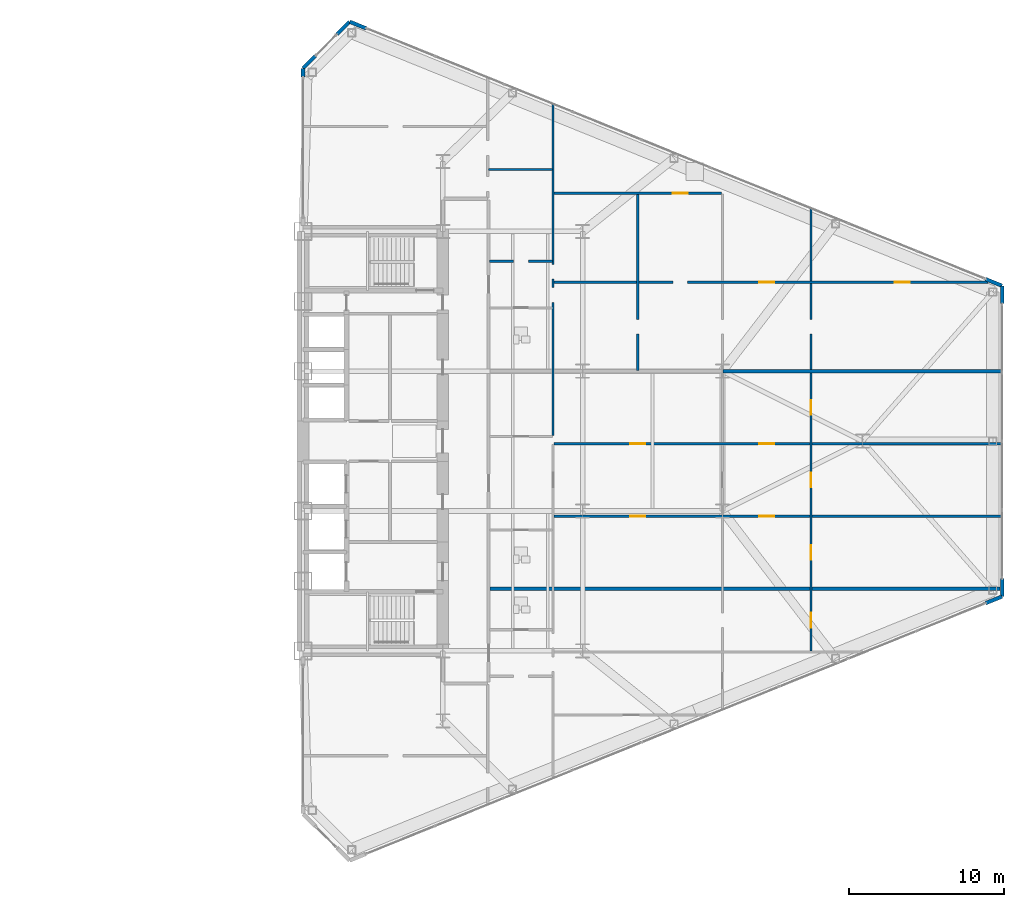
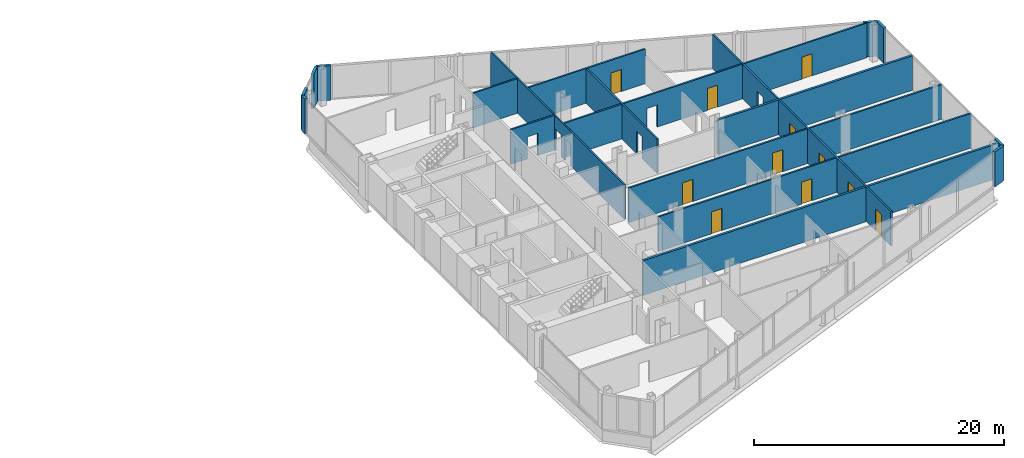
# One storey, part 23 of 26: 19 walls, 11 doors, 17 openings.
"""IFC4 building model written with IfcOpenShell, lengths in metres."""

from ifc_helpers import new_model, si_unit, direction, frame, frame_2d, origin, place, context, subcontext, project, spatial, rectangle, extrude, source, transform, mapped, material, layer, layer_set, type_object, type_shapes, element, fill, save


model = new_model("IFC4")

# Units and contexts
model_context = context("Model", 3, precision=1e-05, world=origin(), true_north=direction((0.0, 1.0)))
body_context = subcontext(model_context, "Body", "Model", "MODEL_VIEW")
ifc_project = project(units=[si_unit("LENGTHUNIT", "METRE"), si_unit("AREAUNIT", "SQUARE_METRE"), si_unit("VOLUMEUNIT", "CUBIC_METRE"), si_unit("PLANEANGLEUNIT", "RADIAN"), si_unit("MASSUNIT", "GRAM", prefix="KILO")], contexts=[model_context])

# Site, building, storey
site_placement = place(None, origin())
site = spatial("IfcSite", under=ifc_project, at=site_placement, CompositionType="ELEMENT")
building_placement = place(site_placement, origin())
building = spatial("IfcBuilding", under=site, at=building_placement, Name="Seokmaru Belvedere", CompositionType="ELEMENT")
storey_placement = place(building_placement, frame((0.0, 0.0, 18.89990234375)))
storey = spatial("IfcBuildingStorey", under=building, at=storey_placement, Name="L04", CompositionType="ELEMENT", Elevation=18.89990234375)

# Wall, openings, doors
ifc_material_1 = material(Name="Fire-Rated Gypsum Shaftwall")
ifc_layer_1 = layer(ifc_material_1, 0.14990234375)
ifc_layer_set_1 = layer_set([ifc_layer_1], Name="Fire-Rated Gypsum Shaftwall")
wall_type_1 = type_object("IfcWallType", Name="Apartment Fire-Acoustic Room Partition 150", PredefinedType="PARTITIONING", material=ifc_layer_set_1)
wall_1_placement = place(storey_placement, frame((43.64990234375, -4.830078125, 0.0), z_axis=(0.0, 0.0, 1.0), x_axis=(1.0, 0.0, 0.0)))
wall_1 = element("IfcWall", 1, at=wall_1_placement, inside=storey, type_object=wall_type_1, Name="L04 Interior Partition 016", PredefinedType="PARTITIONING", context=body_context, shape_type="SweptSolid", body=[
    extrude(rectangle(XDim=28.885009765625, YDim=0.14990234375, at=frame_2d((14.4423828125, 0.0))), origin(), (0.0, 0.0, 1.0), 3.380126953125),
])
opening_1_placement = place(wall_1_placement, frame((4.925048828125, 0.0, 0.0)))
opening_1 = element("IfcOpeningElement", 2, at=opening_1_placement, cuts=wall_1, Name="Opening D05", PredefinedType="OPENING", context=body_context, shape_type="SweptSolid", body=[
    extrude(rectangle(XDim=0.949951171875, YDim=2.14990234375, at=frame_2d((0.47509765625, 1.074951171875))), frame((0.0, 0.0849609375, 0.0), z_axis=(0.0, -1.0, 0.0), x_axis=(1.0, 0.0, 0.0)), (0.0, 0.0, 1.0), 0.169921875),
])
opening_2_placement = place(wall_1_placement, frame((13.22509765625, 0.0, 0.0)))
opening_2 = element("IfcOpeningElement", 3, at=opening_2_placement, cuts=wall_1, Name="Opening D05", PredefinedType="OPENING", context=body_context, shape_type="SweptSolid", body=[
    extrude(rectangle(XDim=0.949951171875, YDim=2.14990234375, at=frame_2d((0.47509765625, 1.074951171875))), frame((0.0, 0.0849609375, 0.0), z_axis=(0.0, -1.0, 0.0), x_axis=(1.0, 0.0, 0.0)), (0.0, 0.0, 1.0), 0.169921875),
])
ifc_material_2 = material(Name="Engineered White Oak Timber", Category="wood")
door_type = type_object("IfcDoorType", Name="Apartment Interior Fire-Rated Oak Door 950x2150", OperationType="NOTDEFINED", PredefinedType="DOOR", material=ifc_material_2)
shared_shape = source(origin(), body_context, "Body", "SweptSolid", [
    extrude(rectangle(XDim=0.949951171875, YDim=2.14990234375, at=frame_2d((0.47509765625, 1.074951171875))), frame((0.0, 0.02490234375, 0.0), z_axis=(0.0, -1.0, 0.0), x_axis=(1.0, 0.0, 0.0)), (0.0, 0.0, 1.0), 0.050048828125),
])
type_shapes(door_type, [shared_shape])
door_1_placement = place(opening_1_placement, origin())
door_1 = element("IfcDoor", 4, at=door_1_placement, inside=storey, type_object=door_type, Name="L04 Interior Door 058", OperationType="SINGLE_SWING_LEFT", OverallHeight=2.14990234375, OverallWidth=0.949951171875, PredefinedType="DOOR", context=body_context, shape_type="MappedRepresentation", body=[
    mapped(shared_shape, transform((0.0, 0.0, 0.0), scale=1.0)),
])
fill(opening_1, door_1)
door_2_placement = place(opening_2_placement, origin())
door_2 = element("IfcDoor", 5, at=door_2_placement, inside=storey, type_object=door_type, Name="L04 Interior Door 060", OperationType="SINGLE_SWING_RIGHT", OverallHeight=2.14990234375, OverallWidth=0.949951171875, PredefinedType="DOOR", context=body_context, shape_type="MappedRepresentation", body=[
    mapped(shared_shape, transform((0.0, 0.0, 0.0), scale=1.0)),
])
fill(opening_2, door_2)

wall_2_placement = place(storey_placement, frame((43.64990234375, -0.169921875, 0.0), z_axis=(0.0, 0.0, 1.0), x_axis=(1.0, 0.0, 0.0)))
wall_2 = element("IfcWall", 6, at=wall_2_placement, inside=storey, type_object=wall_type_1, Name="L04 Interior Partition 019", PredefinedType="PARTITIONING", context=body_context, shape_type="SweptSolid", body=[
    extrude(rectangle(XDim=28.885009765625, YDim=0.14990234375, at=frame_2d((14.4423828125, 0.0))), origin(), (0.0, 0.0, 1.0), 3.380126953125),
])
opening_3_placement = place(wall_2_placement, frame((4.925048828125, 0.0, 0.0)))
opening_3 = element("IfcOpeningElement", 7, at=opening_3_placement, cuts=wall_2, Name="Opening D05", PredefinedType="OPENING", context=body_context, shape_type="SweptSolid", body=[
    extrude(rectangle(XDim=0.949951171875, YDim=2.14990234375, at=frame_2d((0.47509765625, 1.074951171875))), frame((0.0, 0.0849609375, 0.0), z_axis=(0.0, -1.0, 0.0), x_axis=(1.0, 0.0, 0.0)), (0.0, 0.0, 1.0), 0.169921875),
])
opening_4_placement = place(wall_2_placement, frame((13.22509765625, 0.0, 0.0)))
opening_4 = element("IfcOpeningElement", 8, at=opening_4_placement, cuts=wall_2, Name="Opening D05", PredefinedType="OPENING", context=body_context, shape_type="SweptSolid", body=[
    extrude(rectangle(XDim=0.949951171875, YDim=2.14990234375, at=frame_2d((0.47509765625, 1.074951171875))), frame((0.0, 0.0849609375, 0.0), z_axis=(0.0, -1.0, 0.0), x_axis=(1.0, 0.0, 0.0)), (0.0, 0.0, 1.0), 0.169921875),
])
door_3_placement = place(opening_3_placement, origin())
door_3 = element("IfcDoor", 9, at=door_3_placement, inside=storey, type_object=door_type, Name="L04 Interior Door 059", OperationType="SINGLE_SWING_RIGHT", OverallHeight=2.14990234375, OverallWidth=0.949951171875, PredefinedType="DOOR", context=body_context, shape_type="MappedRepresentation", body=[
    mapped(shared_shape, transform((0.0, 0.0, 0.0), scale=1.0)),
])
fill(opening_3, door_3)
door_4_placement = place(opening_4_placement, origin())
door_4 = element("IfcDoor", 10, at=door_4_placement, inside=storey, type_object=door_type, Name="L04 Interior Door 063", OperationType="SINGLE_SWING_RIGHT", OverallHeight=2.14990234375, OverallWidth=0.949951171875, PredefinedType="DOOR", context=body_context, shape_type="MappedRepresentation", body=[
    mapped(shared_shape, transform((0.0, 0.0, 0.0), scale=1.0)),
])
fill(opening_4, door_4)

wall_3_placement = place(storey_placement, frame((43.64990234375, 10.22998046875, 0.0), z_axis=(0.0, 0.0, 1.0), x_axis=(1.0, 0.0, 0.0)))
wall_3 = element("IfcWall", 11, at=wall_3_placement, inside=storey, type_object=wall_type_1, Name="L04 Interior Partition 027", PredefinedType="PARTITIONING", context=body_context, shape_type="SweptSolid", body=[
    extrude(rectangle(XDim=27.94873046875, YDim=0.14990234375, at=frame_2d((13.974365234375, 0.0))), origin(), (0.0, 0.0, 1.0), 3.380126953125),
])
opening_5_placement = place(wall_3_placement, frame((21.937744140625, 0.0, 0.0)))
opening_5 = element("IfcOpeningElement", 12, at=opening_5_placement, cuts=wall_3, Name="Opening D05", PredefinedType="OPENING", context=body_context, shape_type="SweptSolid", body=[
    extrude(rectangle(XDim=0.949951171875, YDim=2.14990234375, at=frame_2d((0.47509765625, 1.074951171875))), frame((0.0, 0.0849609375, 0.0), z_axis=(0.0, -1.0, 0.0), x_axis=(1.0, 0.0, 0.0)), (0.0, 0.0, 1.0), 0.169921875),
])
opening_6_placement = place(wall_3_placement, frame((13.22509765625, 0.0, 0.0)))
opening_6 = element("IfcOpeningElement", 13, at=opening_6_placement, cuts=wall_3, Name="Opening D05", PredefinedType="OPENING", context=body_context, shape_type="SweptSolid", body=[
    extrude(rectangle(XDim=0.949951171875, YDim=2.14990234375, at=frame_2d((0.47509765625, 1.074951171875))), frame((0.0, 0.0849609375, 0.0), z_axis=(0.0, -1.0, 0.0), x_axis=(1.0, 0.0, 0.0)), (0.0, 0.0, 1.0), 0.169921875),
])
opening_7_placement = place(wall_3_placement, frame((7.64990234375, 0.0, 0.0)))
element("IfcOpeningElement", 14, at=opening_7_placement, cuts=wall_3, Name="L04 Cased Opening 075", PredefinedType="OPENING", context=body_context, shape_type="SweptSolid", body=[
    extrude(rectangle(XDim=0.949951171875, YDim=2.14990234375, at=frame_2d((0.47509765625, 1.074951171875))), frame((0.0, 0.0849609375, 0.0), z_axis=(0.0, -1.0, 0.0), x_axis=(1.0, 0.0, 0.0)), (0.0, 0.0, 1.0), 0.169921875),
])
door_5_placement = place(opening_5_placement, origin())
door_5 = element("IfcDoor", 15, at=door_5_placement, inside=storey, type_object=door_type, Name="L04 Interior Door 073", OperationType="SINGLE_SWING_RIGHT", OverallHeight=2.14990234375, OverallWidth=0.949951171875, PredefinedType="DOOR", context=body_context, shape_type="MappedRepresentation", body=[
    mapped(shared_shape, transform((0.0, 0.0, 0.0), scale=1.0)),
])
fill(opening_5, door_5)
door_6_placement = place(opening_6_placement, origin())
door_6 = element("IfcDoor", 16, at=door_6_placement, inside=storey, type_object=door_type, Name="L04 Interior Door 074", OperationType="SINGLE_SWING_RIGHT", OverallHeight=2.14990234375, OverallWidth=0.949951171875, PredefinedType="DOOR", context=body_context, shape_type="MappedRepresentation", body=[
    mapped(shared_shape, transform((0.0, 0.0, 0.0), scale=1.0)),
])
fill(opening_6, door_6)

# Wall, opening
wall_4_placement = place(storey_placement, frame((39.5, 11.580078125, 0.0), z_axis=(0.0, 0.0, 1.0), x_axis=(1.0, 0.0, 0.0)))
wall_4 = element("IfcWall", 17, at=wall_4_placement, inside=storey, type_object=wall_type_1, Name="L04 Interior Partition 028", PredefinedType="PARTITIONING", context=body_context, shape_type="SweptSolid", body=[
    extrude(rectangle(XDim=4.050048828125, YDim=0.14990234375, at=frame_2d((2.02490234375, 0.0))), origin(), (0.0, 0.0, 1.0), 3.380126953125),
])
opening_8_placement = place(wall_4_placement, frame((1.550048828125, 0.0, 0.0)))
element("IfcOpeningElement", 18, at=opening_8_placement, cuts=wall_4, Name="L04 Cased Opening 067", PredefinedType="OPENING", context=body_context, shape_type="SweptSolid", body=[
    extrude(rectangle(XDim=0.949951171875, YDim=2.14990234375, at=frame_2d((0.47509765625, 1.074951171875))), frame((0.0, 0.0849609375, 0.0), z_axis=(0.0, -1.0, 0.0), x_axis=(1.0, 0.0, 0.0)), (0.0, 0.0, 1.0), 0.169921875),
])

# Wall, opening, door
wall_5_placement = place(storey_placement, frame((43.64990234375, 15.9599609375, 0.0), z_axis=(0.0, 0.0, 1.0), x_axis=(1.0, 0.0, 0.0)))
wall_5 = element("IfcWall", 19, at=wall_5_placement, inside=storey, type_object=wall_type_1, Name="L04 Interior Partition 033", PredefinedType="PARTITIONING", context=body_context, shape_type="SweptSolid", body=[
    extrude(rectangle(XDim=10.800048828125, YDim=0.14990234375, at=frame_2d((5.39990234375, 0.0))), origin(), (0.0, 0.0, 1.0), 3.380126953125),
])
opening_9_placement = place(wall_5_placement, frame((7.64990234375, 0.0, 0.0)))
opening_9 = element("IfcOpeningElement", 20, at=opening_9_placement, cuts=wall_5, Name="Opening D05", PredefinedType="OPENING", context=body_context, shape_type="SweptSolid", body=[
    extrude(rectangle(XDim=0.949951171875, YDim=2.14990234375, at=frame_2d((0.47509765625, 1.074951171875))), frame((0.0, 0.0849609375, 0.0), z_axis=(0.0, -1.0, 0.0), x_axis=(1.0, 0.0, 0.0)), (0.0, 0.0, 1.0), 0.169921875),
])
door_7_placement = place(opening_9_placement, origin())
door_7 = element("IfcDoor", 21, at=door_7_placement, inside=storey, type_object=door_type, Name="L04 Interior Door 076", OperationType="SINGLE_SWING_RIGHT", OverallHeight=2.14990234375, OverallWidth=0.949951171875, PredefinedType="DOOR", context=body_context, shape_type="MappedRepresentation", body=[
    mapped(shared_shape, transform((0.0, 0.0, 0.0), scale=1.0)),
])
fill(opening_9, door_7)

# Wall
wall_6_placement = place(storey_placement, frame((39.449951171875, 17.489990234375, 0.0), z_axis=(0.0, 0.0, 1.0), x_axis=(1.0, 0.0, 0.0)))
element("IfcWall", 22, at=wall_6_placement, inside=storey, type_object=wall_type_1, Name="L04 Interior Partition 035", PredefinedType="PARTITIONING", context=body_context, shape_type="SweptSolid", body=[
    extrude(rectangle(XDim=4.10009765625, YDim=0.14990234375, at=frame_2d((2.050048828125, 0.0))), origin(), (0.0, 0.0, 1.0), 3.380126953125),
])

# Wall, opening
wall_7_placement = place(storey_placement, frame((49.050048828125, 4.550048828125, 0.0), z_axis=(0.0, 0.0, 1.0), x_axis=(0.0, 1.0, 0.0)))
wall_7 = element("IfcWall", 23, at=wall_7_placement, inside=storey, type_object=wall_type_1, Name="L04 Interior Partition 057", PredefinedType="PARTITIONING", context=body_context, shape_type="SweptSolid", body=[
    extrude(rectangle(XDim=11.364990234375, YDim=0.14990234375, at=frame_2d((5.6826171875, 0.0))), origin(), (0.0, 0.0, 1.0), 3.380126953125),
])
opening_10_placement = place(wall_7_placement, frame((2.34130859375, 0.0, 0.0)))
element("IfcOpeningElement", 24, at=opening_10_placement, cuts=wall_7, Name="L04 Cased Opening 070", PredefinedType="OPENING", context=body_context, shape_type="SweptSolid", body=[
    extrude(rectangle(XDim=0.949951171875, YDim=2.14990234375, at=frame_2d((0.47509765625, 1.074951171875))), frame((0.0, 0.0849609375, 0.0), z_axis=(0.0, -1.0, 0.0), x_axis=(1.0, 0.0, 0.0)), (0.0, 0.0, 1.0), 0.169921875),
])

# Wall, openings, doors
wall_8_placement = place(storey_placement, frame((60.199951171875, -13.51611328125, 0.0), z_axis=(0.0, 0.0, 1.0), x_axis=(0.0, 1.0, 0.0)))
wall_8 = element("IfcWall", 25, at=wall_8_placement, inside=storey, type_object=wall_type_1, Name="L04 Interior Partition 059", PredefinedType="PARTITIONING", context=body_context, shape_type="SweptSolid", body=[
    extrude(rectangle(XDim=28.530029296875, YDim=0.14990234375, at=frame_2d((14.26513671875, 0.0))), origin(), (0.0, 0.0, 1.0), 3.380126953125),
])
opening_11_placement = place(wall_8_placement, frame((1.508056640625, 0.0, 0.0)))
opening_11 = element("IfcOpeningElement", 26, at=opening_11_placement, cuts=wall_8, Name="Opening D05", PredefinedType="OPENING", context=body_context, shape_type="SweptSolid", body=[
    extrude(rectangle(XDim=0.949951171875, YDim=2.14990234375, at=frame_2d((0.47509765625, 1.074951171875))), frame((0.0, 0.0849609375, 0.0), z_axis=(0.0, -1.0, 0.0), x_axis=(1.0, 0.0, 0.0)), (0.0, 0.0, 1.0), 0.169921875),
])
opening_12_placement = place(wall_8_placement, frame((5.87451171875, 0.0, 0.0)))
opening_12 = element("IfcOpeningElement", 27, at=opening_12_placement, cuts=wall_8, Name="Opening D05", PredefinedType="OPENING", context=body_context, shape_type="SweptSolid", body=[
    extrude(rectangle(XDim=0.949951171875, YDim=2.14990234375, at=frame_2d((0.47509765625, 1.074951171875))), frame((0.0, 0.0849609375, 0.0), z_axis=(0.0, -1.0, 0.0), x_axis=(1.0, 0.0, 0.0)), (0.0, 0.0, 1.0), 0.169921875),
])
opening_13_placement = place(wall_8_placement, frame((10.541015625, 0.0, 0.0)))
opening_13 = element("IfcOpeningElement", 28, at=opening_13_placement, cuts=wall_8, Name="Opening D05", PredefinedType="OPENING", context=body_context, shape_type="SweptSolid", body=[
    extrude(rectangle(XDim=0.949951171875, YDim=2.14990234375, at=frame_2d((0.47509765625, 1.074951171875))), frame((0.0, 0.0849609375, 0.0), z_axis=(0.0, -1.0, 0.0), x_axis=(1.0, 0.0, 0.0)), (0.0, 0.0, 1.0), 0.169921875),
])
opening_14_placement = place(wall_8_placement, frame((15.20751953125, 0.0, 0.0)))
opening_14 = element("IfcOpeningElement", 29, at=opening_14_placement, cuts=wall_8, Name="Opening D05", PredefinedType="OPENING", context=body_context, shape_type="SweptSolid", body=[
    extrude(rectangle(XDim=0.949951171875, YDim=2.14990234375, at=frame_2d((0.47509765625, 1.074951171875))), frame((0.0, 0.0849609375, 0.0), z_axis=(0.0, -1.0, 0.0), x_axis=(1.0, 0.0, 0.0)), (0.0, 0.0, 1.0), 0.169921875),
])
opening_15_placement = place(wall_8_placement, frame((20.4072265625, 0.0, 0.0)))
element("IfcOpeningElement", 30, at=opening_15_placement, cuts=wall_8, Name="L04 Cased Opening 072", PredefinedType="OPENING", context=body_context, shape_type="SweptSolid", body=[
    extrude(rectangle(XDim=0.949951171875, YDim=2.14990234375, at=frame_2d((0.47509765625, 1.074951171875))), frame((0.0, 0.0849609375, 0.0), z_axis=(0.0, -1.0, 0.0), x_axis=(1.0, 0.0, 0.0)), (0.0, 0.0, 1.0), 0.169921875),
])
door_8_placement = place(opening_11_placement, origin())
door_8 = element("IfcDoor", 31, at=door_8_placement, inside=storey, type_object=door_type, Name="L04 Interior Door 050", OperationType="SINGLE_SWING_LEFT", OverallHeight=2.14990234375, OverallWidth=0.949951171875, PredefinedType="DOOR", context=body_context, shape_type="MappedRepresentation", body=[
    mapped(shared_shape, transform((0.0, 0.0, 0.0), scale=1.0)),
])
fill(opening_11, door_8)
door_9_placement = place(opening_12_placement, origin())
door_9 = element("IfcDoor", 32, at=door_9_placement, inside=storey, type_object=door_type, Name="L04 Interior Door 061", OperationType="SINGLE_SWING_LEFT", OverallHeight=2.14990234375, OverallWidth=0.949951171875, PredefinedType="DOOR", context=body_context, shape_type="MappedRepresentation", body=[
    mapped(shared_shape, transform((0.0, 0.0, 0.0), scale=1.0)),
])
fill(opening_12, door_9)
door_10_placement = place(opening_13_placement, origin())
door_10 = element("IfcDoor", 33, at=door_10_placement, inside=storey, type_object=door_type, Name="L04 Interior Door 062", OperationType="SINGLE_SWING_LEFT", OverallHeight=2.14990234375, OverallWidth=0.949951171875, PredefinedType="DOOR", context=body_context, shape_type="MappedRepresentation", body=[
    mapped(shared_shape, transform((0.0, 0.0, 0.0), scale=1.0)),
])
fill(opening_13, door_10)
door_11_placement = place(opening_14_placement, origin())
door_11 = element("IfcDoor", 34, at=door_11_placement, inside=storey, type_object=door_type, Name="L04 Interior Door 064", OperationType="SINGLE_SWING_LEFT", OverallHeight=2.14990234375, OverallWidth=0.949951171875, PredefinedType="DOOR", context=body_context, shape_type="MappedRepresentation", body=[
    mapped(shared_shape, transform((0.0, 0.0, 0.0), scale=1.0)),
])
fill(opening_14, door_11)

# Walls
ifc_layer_2 = layer(ifc_material_1, 0.199951171875)
ifc_layer_set_2 = layer_set([ifc_layer_2], Name="Fire-Rated Gypsum Shaftwall")
wall_type_2 = type_object("IfcWallType", Name="Inter-Tenancy Fire Compartment Partition 200", PredefinedType="PARTITIONING", material=ifc_layer_set_2)
wall_9_placement = place(storey_placement, frame((39.530029296875, -9.5, 0.0), z_axis=(0.0, 0.0, 1.0), x_axis=(1.0, 0.0, 0.0)))
element("IfcWall", 35, at=wall_9_placement, inside=storey, type_object=wall_type_2, Name="L04 Interior Partition 013", PredefinedType="PARTITIONING", context=body_context, shape_type="SweptSolid", body=[
    extrude(rectangle(XDim=32.844970703125, YDim=0.199951171875, at=frame_2d((16.42236328125, 0.0))), origin(), (0.0, 0.0, 1.0), 3.380126953125),
])
wall_10_placement = place(storey_placement, frame((54.52001953125, 4.5, 0.0), z_axis=(0.0, 0.0, 1.0), x_axis=(1.0, 0.0, 0.0)))
element("IfcWall", 36, at=wall_10_placement, inside=storey, type_object=wall_type_2, Name="L04 Interior Partition 023 Part 2", PredefinedType="PARTITIONING", context=body_context, shape_type="SweptSolid", body=[
    extrude(rectangle(XDim=17.98486328125, YDim=0.199951171875, at=frame_2d((8.992431640625, 0.0))), origin(), (0.0, 0.0, 1.0), 3.380126953125),
])

# Wall, openings
ifc_layer_3 = layer(ifc_material_1, 0.1298828125)
ifc_layer_set_3 = layer_set([ifc_layer_3], Name="Fire-Rated Gypsum Shaftwall")
wall_type_3 = type_object("IfcWallType", Name="Moisture-Resistant Fire-Rated Bathroom Partition 130", PredefinedType="PARTITIONING", material=ifc_layer_set_3)
wall_11_placement = place(storey_placement, frame((43.60009765625, 0.35205078125, 0.0), z_axis=(0.0, 0.0, 1.0), x_axis=(0.0, 1.0, 0.0)))
wall_11 = element("IfcWall", 37, at=wall_11_placement, inside=storey, type_object=wall_type_3, Name="L04 Interior Partition 056", PredefinedType="PARTITIONING", context=body_context, shape_type="SweptSolid", body=[
    extrude(rectangle(XDim=21.380859375, YDim=0.1298828125, at=frame_2d((10.6904296875, 0.0))), origin(), (0.0, 0.0, 1.0), 3.380126953125),
])
opening_16_placement = place(wall_11_placement, frame((8.577880859375, 0.0, 0.0)))
element("IfcOpeningElement", 38, at=opening_16_placement, cuts=wall_11, Name="L04 Cased Opening 068", PredefinedType="OPENING", context=body_context, shape_type="SweptSolid", body=[
    extrude(rectangle(XDim=0.949951171875, YDim=2.14990234375, at=frame_2d((0.47509765625, 1.074951171875))), frame((0.0, 0.074951171875, 0.0), z_axis=(0.0, -1.0, 0.0), x_axis=(1.0, 0.0, 0.0)), (0.0, 0.0, 1.0), 0.14990234375),
])
opening_17_placement = place(wall_11_placement, frame((10.077880859375, 0.0, 0.0)))
element("IfcOpeningElement", 39, at=opening_17_placement, cuts=wall_11, Name="L04 Cased Opening 069", PredefinedType="OPENING", context=body_context, shape_type="SweptSolid", body=[
    extrude(rectangle(XDim=0.949951171875, YDim=2.14990234375, at=frame_2d((0.47509765625, 1.074951171875))), frame((0.0, 0.074951171875, 0.0), z_axis=(0.0, -1.0, 0.0), x_axis=(1.0, 0.0, 0.0)), (0.0, 0.0, 1.0), 0.14990234375),
])

# Walls
ifc_material_3 = material(Name="Anodised Bronze Aluminium", Category="aluminium")
ifc_layer_4 = layer(ifc_material_3, 0.239990234375)
ifc_layer_set_4 = layer_set([ifc_layer_4], Name="Anodised Bronze Aluminium")
wall_type_4 = type_object("IfcWallType", Name="Tower Corner Spandrel Closure Wall 240", PredefinedType="SOLIDWALL", material=ifc_layer_set_4)
for number, where, z_axis, x_axis, name in (
    (40, (71.43408203125, -10.431396484375, 0.0), (0.0, 0.0, 1.0), (0.927007103665, 0.375043770452, 0.0), "L04 E Corner Closure Pier 1B"),
    (41, (72.5, -9.989990234375, 0.0), (0.0, 0.0, 1.0), (0.0, 1.0, 0.0), "L04 E Corner Closure Pier 2A"),
    (42, (72.5, 8.85009765625, 0.0), (0.0, 0.0, 1.0), (0.0, 1.0, 0.0), "L04 E Corner Closure Pier 2B"),
    (43, (72.49072265625, 10.00390625, 0.0), (0.0, 0.0, 1.0), (-0.927007103665, 0.375043770452, 0.0), "L04 E Corner Closure Pier 3A"),
    (44, (31.56591796875, 26.568603515625, 0.0), (0.0, 0.0, 1.0), (-0.927007103665, 0.375043770452, 0.0), "L04 E Corner Closure Pier 3B"),
):
    element("IfcWall", number, at=place(storey_placement, frame(where, z_axis=z_axis, x_axis=x_axis)), inside=storey, type_object=wall_type_4, Name=name, PredefinedType="SOLIDWALL", context=body_context, shape_type="SweptSolid", body=[
        extrude(rectangle(XDim=1.139892578125, YDim=0.239990234375, at=frame_2d((0.56982421875, 0.0))), origin(), (0.0, 0.0, 1.0), 3.380126953125),
    ])
for number, where, z_axis, x_axis, name in (
    (45, (30.492919921875, 26.992919921875, 0.0), (0.0, 0.0, 1.0), (-0.707106781187, -0.707106781187, 0.0), "L04 E Corner Closure Pier 4A"),
    (46, (28.313232421875, 24.813232421875, 0.0), (0.0, 0.0, 1.0), (-0.707106781187, -0.707106781187, 0.0), "L04 E Corner Closure Pier 4B"),
):
    element("IfcWall", number, at=place(storey_placement, frame(where, z_axis=z_axis, x_axis=x_axis)), inside=storey, type_object=wall_type_4, Name=name, PredefinedType="SOLIDWALL", context=body_context, shape_type="SweptSolid", body=[
        extrude(rectangle(XDim=1.14013671875, YDim=0.239990234375, at=frame_2d((0.570068359375, 0.0))), origin(), (0.0, 0.0, 1.0), 3.380126953125),
    ])
wall_12_placement = place(storey_placement, frame((27.5, 23.429931640625, 0.0), z_axis=(0.0, 0.0, 1.0), x_axis=(0.0, 1.0, 0.0)))
element("IfcWall", 47, at=wall_12_placement, inside=storey, type_object=wall_type_4, Name="L04 E Spine Closure Pier 2B", PredefinedType="SOLIDWALL", context=body_context, shape_type="SweptSolid", body=[
    extrude(rectangle(XDim=0.550048828125, YDim=0.239990234375, at=frame_2d((0.27490234375, 0.0))), origin(), (0.0, 0.0, 1.0), 3.380126953125),
])

save(model, "model.ifc")
